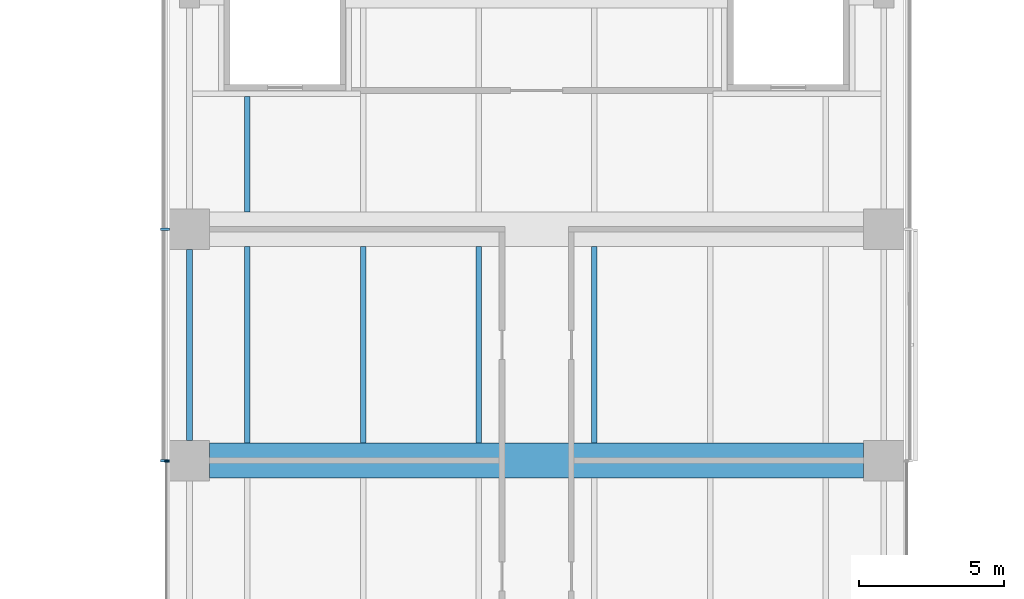
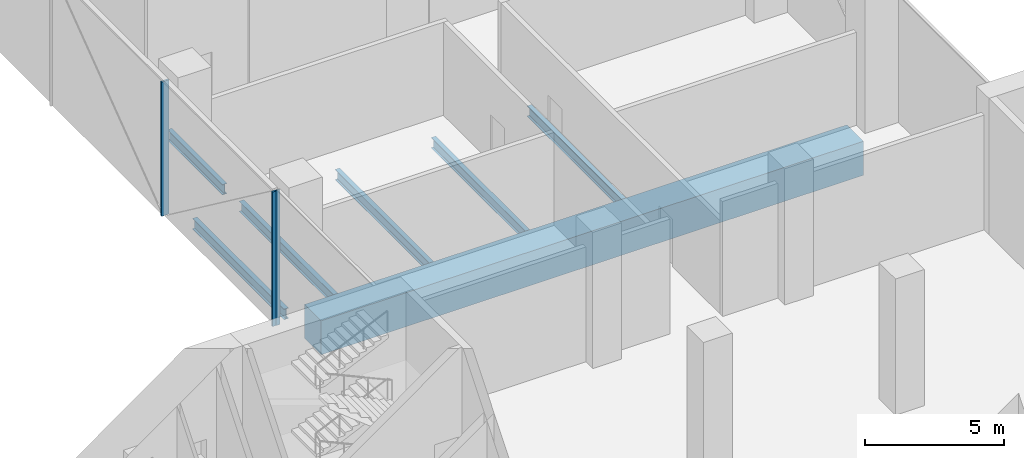
# One storey, part 8 of 23: 7 beams, 3 members, 2 elements without a shape of their own.
"""IFC4 building model written with IfcOpenShell, lengths in metres."""

from ifc_helpers import new_model, si_unit, direction, frame, origin, origin_2d, place, context, subcontext, project, spatial, rectangle, i_section, extrude, material, material_profile, profile_set, type_object, element, aggregate, save


model = new_model("IFC4")

# Units and contexts
model_context = context("Model", 3, precision=1e-05, world=origin(), true_north=direction((0.0, 1.0)))
body_context = subcontext(model_context, "Body", "Model", "MODEL_VIEW")
ifc_project = project(units=[si_unit("LENGTHUNIT", "METRE"), si_unit("AREAUNIT", "SQUARE_METRE"), si_unit("VOLUMEUNIT", "CUBIC_METRE"), si_unit("PLANEANGLEUNIT", "RADIAN"), si_unit("MASSUNIT", "GRAM", prefix="KILO")], contexts=[model_context])

# Site, building, storey
site_placement = place(None, origin())
site = spatial("IfcSite", under=ifc_project, at=site_placement, CompositionType="ELEMENT")
building_placement = place(site_placement, origin())
building = spatial("IfcBuilding", under=site, at=building_placement, Name="Crosswind Convention Tower", CompositionType="ELEMENT")
storey_placement = place(building_placement, frame((0.0, 0.0, 41.5)))
storey = spatial("IfcBuildingStorey", under=building, at=storey_placement, Name="L05", CompositionType="ELEMENT", Elevation=41.5)

# Beam
ifc_material_1 = material(Name="Steel S355", Category="steel")
ifc_material_profile_1 = material_profile(ifc_material_1, i_section(OverallWidth=0.19287109375, OverallDepth=0.467529296875, WebThickness=0.011474609375, FlangeThickness=0.01953125, FilletRadius=0.01025390625, at=origin_2d()), Name="UB 457x191x98")
ifc_profile_set_1 = profile_set([ifc_material_profile_1], Name="Steel S355")
beam_type_1 = type_object("IfcBeamType", Name="Edge beam UB 457x191x98", PredefinedType="SPANDREL", material=ifc_profile_set_1)
beam_1_placement = place(storey_placement, frame((113.0, 120.699951171875, -0.6337890625), z_axis=(0.0, 1.0, 0.0), x_axis=(-1.0, 0.0, 0.0)))
element("IfcBeam", 1, at=beam_1_placement, inside=storey, type_object=beam_type_1, Name="B20 L05 edge beam 10", PredefinedType="SPANDREL", context=body_context, shape_type="SweptSolid", body=[
    extrude(i_section(OverallWidth=0.19287109375, OverallDepth=0.467529296875, WebThickness=0.011474609375, FlangeThickness=0.01953125, FilletRadius=0.01025390625, at=origin_2d()), origin(), (0.0, 0.0, 1.0), 6.60009765625),
])

# Curtain wall, member
ifc_material_2 = material(Name="Aluminium unitised curtain wall", Category="aluminium")
curtain_wall_type_1 = type_object("IfcCurtainWallType", Name="CORE END SLOT WALL 160", PredefinedType="USERDEFINED", material=ifc_material_2)
curtain_wall_1_placement = place(storey_placement, origin())
curtain_wall_1 = element("IfcCurtainWall", 2, at=curtain_wall_1_placement, inside=storey, type_object=curtain_wall_type_1, Name="CW6 L05 N-W.1-4 slot", ObjectType="UNITISED", PredefinedType="USERDEFINED")
ifc_material_3 = material(Name="Aluminium mullion", Category="aluminium")
ifc_material_profile_2 = material_profile(ifc_material_3, rectangle(XDim=0.159912109375, YDim=0.050048828125, at=origin_2d()), Name="AL 160X50")
ifc_profile_set_2 = profile_set([ifc_material_profile_2], Name="Aluminium mullion")
member_type_1 = type_object("IfcMemberType", Name="MULLION 50X160", PredefinedType="MULLION", material=ifc_profile_set_2)
member_1_placement = place(storey_placement, frame((112.219970703125, 119.97509765625, -0.39990234375), z_axis=(0.0, 0.0, 1.0), x_axis=(-1.0, 0.0, 0.0)))
member_1 = element("IfcMember", 3, at=member_1_placement, type_object=member_type_1, Name="CW6 mullion 1", PredefinedType="MULLION", context=body_context, shape_type="SweptSolid", body=[
    extrude(rectangle(XDim=0.159912109375, YDim=0.050048828125, at=origin_2d()), origin(), (0.0, 0.0, 1.0), 5.949951171875),
])
aggregate(curtain_wall_1, [member_1])

# Curtain wall, members
curtain_wall_type_2 = type_object("IfcCurtainWallType", Name="PODIUM UNITISED WALL 300", PredefinedType="USERDEFINED", material=ifc_material_2)
curtain_wall_2_placement = place(storey_placement, origin())
curtain_wall_2 = element("IfcCurtainWall", 4, at=curtain_wall_2_placement, inside=storey, type_object=curtain_wall_type_2, Name="CW1 L05 N-W 1", ObjectType="UNITISED", PredefinedType="USERDEFINED")
ifc_material_profile_3 = material_profile(ifc_material_3, rectangle(XDim=0.300048828125, YDim=0.080078125, at=origin_2d()), Name="AL 300X80")
ifc_profile_set_3 = profile_set([ifc_material_profile_3], Name="Aluminium mullion")
member_type_2 = type_object("IfcMemberType", Name="MULLION 80X300", PredefinedType="MULLION", material=ifc_profile_set_3)
member_2_placement = place(storey_placement, frame((112.14990234375, 128.0, -0.39990234375), z_axis=(0.0, 0.0, 1.0), x_axis=(-1.0, 0.0, 0.0)))
member_2 = element("IfcMember", 5, at=member_2_placement, type_object=member_type_2, Name="CW1 mullion 3", PredefinedType="MULLION", context=body_context, shape_type="SweptSolid", body=[
    extrude(rectangle(XDim=0.300048828125, YDim=0.080078125, at=origin_2d()), origin(), (0.0, 0.0, 1.0), 5.919921875),
])
member_3_placement = place(storey_placement, frame((112.14990234375, 120.0, -0.39990234375), z_axis=(0.0, 0.0, 1.0), x_axis=(-1.0, 0.0, 0.0)))
member_3 = element("IfcMember", 6, at=member_3_placement, type_object=member_type_2, Name="CW1 mullion 4", PredefinedType="MULLION", context=body_context, shape_type="SweptSolid", body=[
    extrude(rectangle(XDim=0.300048828125, YDim=0.080078125, at=origin_2d()), origin(), (0.0, 0.0, 1.0), 5.919921875),
])
aggregate(curtain_wall_2, [member_2, member_3])

# Beams
ifc_material_4 = material(Name="Concrete C70/85", Category="concrete")
ifc_material_profile_4 = material_profile(ifc_material_4, rectangle(XDim=1.199951171875, YDim=1.5, at=origin_2d()), Name="RC 1200X1500")
ifc_profile_set_4 = profile_set([ifc_material_profile_4], Name="Concrete C70/85")
beam_type_2 = type_object("IfcBeamType", Name="Prestressed concrete girder RC 1200X1500", PredefinedType="BEAM", material=ifc_profile_set_4)
beam_2_placement = place(storey_placement, frame((113.699951171875, 120.0, -1.14990234375), z_axis=(1.0, 0.0, 0.0), x_axis=(0.0, 1.0, 0.0)))
element("IfcBeam", 7, at=beam_2_placement, inside=storey, type_object=beam_type_2, Name="B39 L05 prestressed concrete girder 3", PredefinedType="BEAM", context=body_context, shape_type="SweptSolid", body=[
    extrude(rectangle(XDim=1.199951171875, YDim=1.5, at=origin_2d()), origin(), (0.0, 0.0, 1.0), 22.60009765625),
])
ifc_material_profile_5 = material_profile(ifc_material_1, i_section(OverallWidth=0.19140625, OverallDepth=0.460205078125, WebThickness=0.010009765625, FlangeThickness=0.01611328125, FilletRadius=0.01025390625, at=origin_2d()), Name="UB 457x191x82")
ifc_profile_set_5 = profile_set([ifc_material_profile_5], Name="Steel S355")
beam_type_3 = type_object("IfcBeamType", Name="Secondary beam UB 457x191x82", PredefinedType="JOIST", material=ifc_profile_set_5)
beam_3_placement = place(storey_placement, frame((115.0, 120.60009765625, -0.630126953125), z_axis=(0.0, 1.0, 0.0), x_axis=(-1.0, 0.0, 0.0)))
element("IfcBeam", 8, at=beam_3_placement, inside=storey, type_object=beam_type_3, Name="B13 L05 secondary beam 18", PredefinedType="JOIST", context=body_context, shape_type="SweptSolid", body=[
    extrude(i_section(OverallWidth=0.19140625, OverallDepth=0.460205078125, WebThickness=0.010009765625, FlangeThickness=0.01611328125, FilletRadius=0.01025390625, at=origin_2d()), origin(), (0.0, 0.0, 1.0), 6.7998046875),
])
beam_4_placement = place(storey_placement, frame((115.0, 128.60009765625, -0.630126953125), z_axis=(0.0, 1.0, 0.0), x_axis=(-1.0, 0.0, 0.0)))
element("IfcBeam", 9, at=beam_4_placement, inside=storey, type_object=beam_type_3, Name="B13 L05 secondary beam 19", PredefinedType="JOIST", context=body_context, shape_type="SweptSolid", body=[
    extrude(i_section(OverallWidth=0.19140625, OverallDepth=0.460205078125, WebThickness=0.010009765625, FlangeThickness=0.01611328125, FilletRadius=0.01025390625, at=origin_2d()), origin(), (0.0, 0.0, 1.0), 3.993896484375),
])
for number, where, z_axis, x_axis, name in (
    (10, (119.0, 120.60009765625, -0.630126953125), (0.0, 1.0, 0.0), (-1.0, 0.0, 0.0), "B13 L05 secondary beam 25"),
    (11, (123.0, 120.60009765625, -0.630126953125), (0.0, 1.0, 0.0), (-1.0, 0.0, 0.0), "B13 L05 secondary beam 36"),
    (12, (127.0, 120.60009765625, -0.630126953125), (0.0, 1.0, 0.0), (-1.0, 0.0, 0.0), "B13 L05 secondary beam 44"),
):
    element("IfcBeam", number, at=place(storey_placement, frame(where, z_axis=z_axis, x_axis=x_axis)), inside=storey, type_object=beam_type_3, Name=name, PredefinedType="JOIST", context=body_context, shape_type="SweptSolid", body=[
        extrude(i_section(OverallWidth=0.19140625, OverallDepth=0.460205078125, WebThickness=0.010009765625, FlangeThickness=0.01611328125, FilletRadius=0.01025390625, at=origin_2d()), origin(), (0.0, 0.0, 1.0), 6.7998046875),
    ])

save(model, "model.ifc")
